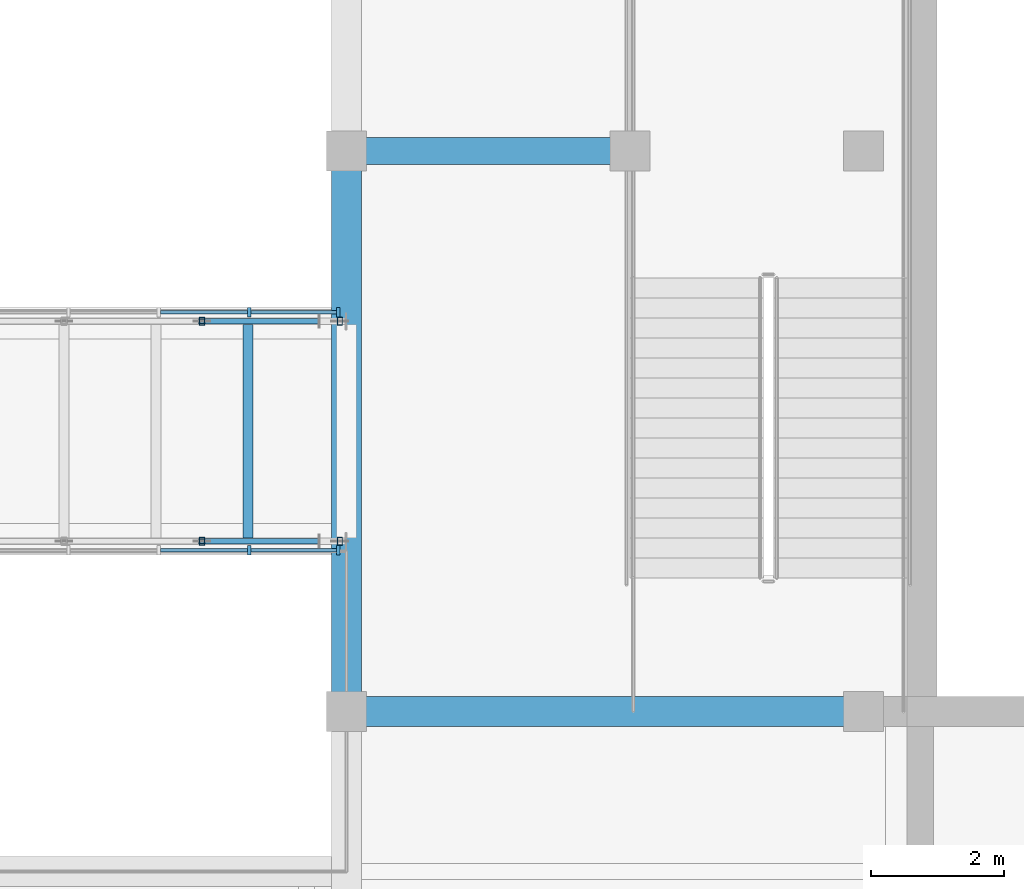
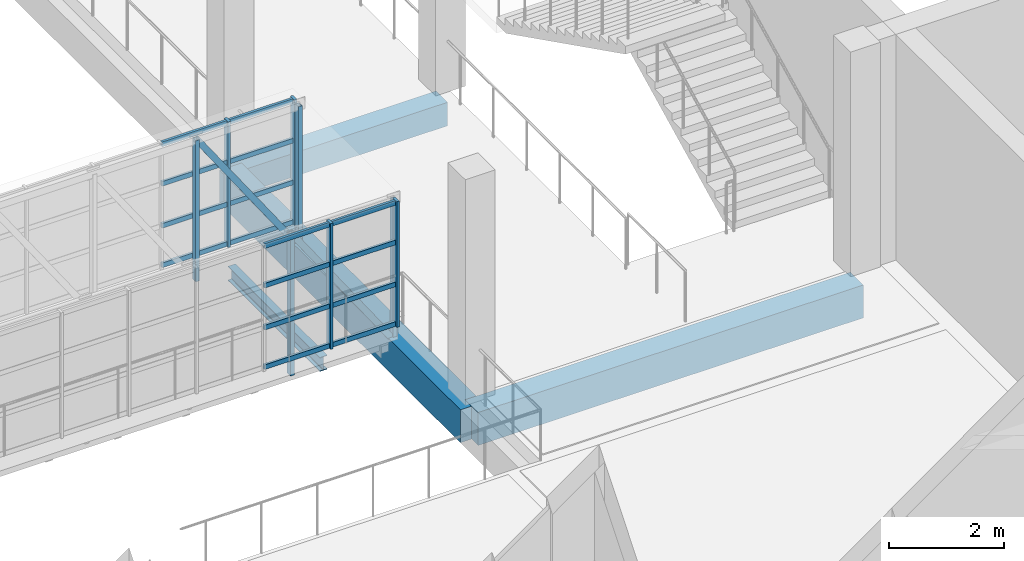
# One storey, part 17 of 86: 26 members, 4 beams, 2 elements without a shape of their own.
"""IFC4 building model written with IfcOpenShell, lengths in metres."""

import ifcopenshell
import ifcopenshell.guid

model = None  # the IFC model being written
_history = None  # IfcOwnerHistory: only IFC2X3 demands one
_inside = {}  # id of a spatial element -> (the spatial element, [elements in it])
_under = {}  # id of a project, library or spatial element -> (it, [spatial elements below it])
_declared = {}  # id of a project -> (the project, [libraries it declares])
_typed = {}  # id of a type object -> (the type object, [elements of that type])
_made_of = {}  # id of a material, layer set ... -> (it, [elements and type objects made of it])


def new_model(schema):
    """Start an empty IFC model of exactly this schema.

    Asked for "IFC4X3", IfcOpenShell would pick the latest addendum, in which some entities
    have other attributes; the version numbers below select the first issue.
    IFC2X3 requires an IfcOwnerHistory on every rooted entity: one is made here for all.
    """
    global model, _history
    if schema == "IFC4X3":
        model = ifcopenshell.file(schema_version=(4, 3, 0, 0))
    else:
        model = ifcopenshell.file(schema=schema)
    _inside.clear()
    _under.clear()
    _declared.clear()
    _typed.clear()
    _made_of.clear()
    _history = None
    if model.schema == "IFC2X3":
        org = make("IfcOrganization", Name="unknown")
        user = make(
            "IfcPersonAndOrganization",
            ThePerson=make("IfcPerson", FamilyName="unknown"),
            TheOrganization=org,
        )
        app = make(
            "IfcApplication",
            ApplicationDeveloper=org,
            Version="unknown",
            ApplicationFullName="unknown",
            ApplicationIdentifier="unknown",
        )
        _history = make(
            "IfcOwnerHistory",
            OwningUser=user,
            OwningApplication=app,
            ChangeAction="ADDED",
            CreationDate=0,
        )
    return model


def make(cls, **values):
    """One entity of the class cls with the attributes given. An attribute that is None is left unset."""
    return model.create_entity(
        cls, **{name: value for name, value in values.items() if value is not None}
    )


def rooted(cls, **values):
    """An entity with a GlobalId (a new one), such as an element, a storey or a relation."""
    return make(cls, GlobalId=ifcopenshell.guid.new(), OwnerHistory=_history, **values)


def si_unit(unit_type, name, prefix=None):
    """IfcSIUnit, for example si_unit("LENGTHUNIT", "METRE", prefix="MILLI")."""
    return make("IfcSIUnit", UnitType=unit_type, Prefix=prefix, Name=name)


def assignment(units):
    """IfcUnitAssignment: the units of a project."""
    return None if units is None else make("IfcUnitAssignment", Units=units)


def point(xyz):
    """IfcCartesianPoint."""
    return None if xyz is None else make("IfcCartesianPoint", Coordinates=xyz)


def direction(xyz):
    """IfcDirection."""
    return None if xyz is None else make("IfcDirection", DirectionRatios=xyz)


def frame(location, z_axis=None, x_axis=None):
    """IfcAxis2Placement3D, a coordinate frame: its origin and axes. An axis left out is left unset."""
    return make(
        "IfcAxis2Placement3D",
        Location=point(location),
        Axis=direction(z_axis),
        RefDirection=direction(x_axis),
    )


def frame_2d(location, x_axis=None):
    """IfcAxis2Placement2D, a coordinate frame in the plane: its origin and x axis."""
    return make(
        "IfcAxis2Placement2D", Location=point(location), RefDirection=direction(x_axis)
    )


def origin():
    """The frame at (0, 0, 0) with its axes left unset."""
    return frame((0.0, 0.0, 0.0))


def origin_2d():
    """The frame at (0, 0) in the plane with its x axis left unset."""
    return frame_2d((0.0, 0.0))


def place(relative_to, where):
    """IfcLocalPlacement: puts the frame where relative to a parent placement (None: the world)."""
    return make(
        "IfcLocalPlacement", PlacementRelTo=relative_to, RelativePlacement=where
    )


def context(
    kind, dimensions, precision=None, world=None, true_north=None, identifier=None
):
    """IfcGeometricRepresentationContext, for example the 3D "Model" context."""
    return make(
        "IfcGeometricRepresentationContext",
        ContextIdentifier=identifier,
        ContextType=kind,
        CoordinateSpaceDimension=dimensions,
        Precision=precision,
        WorldCoordinateSystem=world,
        TrueNorth=true_north,
    )


def subcontext(parent, identifier, kind, view, scale=None):
    """IfcGeometricRepresentationSubContext, for example "Body" below "Model"."""
    return make(
        "IfcGeometricRepresentationSubContext",
        ContextIdentifier=identifier,
        ContextType=kind,
        ParentContext=parent,
        TargetScale=scale,
        TargetView=view,
    )


def project(units=None, contexts=None):
    """IfcProject with its units and contexts."""
    return rooted(
        "IfcProject",
        Name="project",
        RepresentationContexts=contexts,
        UnitsInContext=assignment(units),
    )


def spatial(cls, under=None, at=None, **own):
    """A site, building, storey or space (cls), placed at a placement, below another one or the project."""
    s = rooted(cls, ObjectPlacement=at, **own)
    if under is not None:
        _under.setdefault(under.id(), (under, []))[1].append(s)
    return s


def profile(cls, at=None, kind="AREA", **sizes):
    """A parametric profile (cls). Its sizes go by their IFC names, for example OverallWidth=200.0."""
    return make(cls, ProfileType=kind, Position=at, **sizes)


def rectangle(**sizes):
    """IfcRectangleProfileDef."""
    return profile("IfcRectangleProfileDef", **sizes)


def hollow_rectangle(**sizes):
    """IfcRectangleHollowProfileDef."""
    return profile("IfcRectangleHollowProfileDef", **sizes)


def i_section(**sizes):
    """IfcIShapeProfileDef."""
    return profile("IfcIShapeProfileDef", **sizes)


def extrude(swept, where, along, depth):
    """IfcExtrudedAreaSolid: the profile swept, set in the frame where, extruded along a direction by depth."""
    return make(
        "IfcExtrudedAreaSolid",
        SweptArea=swept,
        Position=where,
        ExtrudedDirection=direction(along),
        Depth=depth,
    )


def shape(context_of_items, identifier, shape_type, items):
    """IfcShapeRepresentation: the items that make up one representation, for example the "Body"."""
    return make(
        "IfcShapeRepresentation",
        ContextOfItems=context_of_items,
        RepresentationIdentifier=identifier,
        RepresentationType=shape_type,
        Items=items,
    )


def material(Name=None, Category=None):
    """IfcMaterial."""
    return make("IfcMaterial", Name=Name, Category=Category)


def layer(
    of_material, thickness, ventilated=None, Name=None, Category=None, Priority=None
):
    """IfcMaterialLayer: one layer of a wall or slab, of a material (None: an air gap)."""
    return make(
        "IfcMaterialLayer",
        Material=of_material,
        LayerThickness=thickness,
        IsVentilated=ventilated,
        Name=Name,
        Category=Category,
        Priority=Priority,
    )


def layer_set(layers, Name=None):
    """IfcMaterialLayerSet."""
    return make("IfcMaterialLayerSet", MaterialLayers=layers, LayerSetName=Name)


def material_profile(
    of_material, cross_section, Name=None, Category=None, Priority=None
):
    """IfcMaterialProfile: a cross section and its material."""
    return make(
        "IfcMaterialProfile",
        Name=Name,
        Material=of_material,
        Profile=cross_section,
        Priority=Priority,
        Category=Category,
    )


def profile_set(profiles, Name=None, composite=None):
    """IfcMaterialProfileSet."""
    return make(
        "IfcMaterialProfileSet",
        Name=Name,
        MaterialProfiles=profiles,
        CompositeProfile=composite,
    )


def made_of(thing, what):
    """Note that an element or type object is made of a material, layer set ...; save() writes the relation."""
    if what is not None:
        _made_of.setdefault(what.id(), (what, []))[1].append(thing)
    return thing


def type_object(cls, material=None, **own):
    """A type object (cls), such as IfcWallType, which elements share."""
    return made_of(rooted(cls, **own), material)


def element(
    cls,
    number,
    at=None,
    inside=None,
    cuts=None,
    type_object=None,
    material=None,
    context=None,
    identifier="Body",
    shape_type=None,
    held_by="IfcProductDefinitionShape",
    body=None,
    shapes=None,
    **own,
):
    """One element of the class cls, such as IfcWall. Its Tag is "e" and its number.

    at: its placement. inside: the storey or other place that contains it. cuts: it is an
    opening in that element (IfcRelVoidsElement). A single representation is given by context,
    identifier, shape_type and body (its items); several are given by shapes. held_by: the class
    of the entity that holds the representations. save() writes the other relations.
    """
    e = rooted(cls, Tag="e%d" % number, ObjectPlacement=at, **own)
    if body is not None:
        shapes = [shape(context, identifier, shape_type, body)]
    if shapes is not None:
        e.Representation = make(held_by, Representations=shapes)
    if inside is not None:
        _inside.setdefault(inside.id(), (inside, []))[1].append(e)
    if cuts is not None:
        rooted(
            "IfcRelVoidsElement", RelatingBuildingElement=cuts, RelatedOpeningElement=e
        )
    if type_object is not None:
        _typed.setdefault(type_object.id(), (type_object, []))[1].append(e)
    return made_of(e, material)


def aggregate(whole, parts):
    """IfcRelAggregates: a whole, such as a stair, and the parts it consists of."""
    return rooted("IfcRelAggregates", RelatingObject=whole, RelatedObjects=parts)


def save(model, path):
    """Write the relations noted so far, then the file.

    IfcRelAggregates (storeys below a building ...), IfcRelContainedInSpatialStructure (elements
    in a storey), IfcRelDefinesByType, IfcRelAssociatesMaterial and IfcRelDeclares: one each for
    every whole, place, type object, material and project.
    """
    for whole, parts in _under.values():
        aggregate(whole, parts)
    for where, things in _inside.values():
        rooted(
            "IfcRelContainedInSpatialStructure",
            RelatedElements=things,
            RelatingStructure=where,
        )
    for kind, things in _typed.values():
        rooted("IfcRelDefinesByType", RelatedObjects=things, RelatingType=kind)
    for what, things in _made_of.values():
        rooted("IfcRelAssociatesMaterial", RelatedObjects=things, RelatingMaterial=what)
    for by, libraries in _declared.values():
        rooted("IfcRelDeclares", RelatingContext=by, RelatedDefinitions=libraries)
    model.write(path)


model = new_model("IFC4")

# Units and contexts
model_context = context("Model", 3, precision=1e-05, world=origin(), true_north=direction((0.0, 1.0)))
body_context = subcontext(model_context, "Body", "Model", "MODEL_VIEW")
ifc_project = project(units=[si_unit("LENGTHUNIT", "METRE"), si_unit("AREAUNIT", "SQUARE_METRE"), si_unit("VOLUMEUNIT", "CUBIC_METRE"), si_unit("PLANEANGLEUNIT", "RADIAN"), si_unit("MASSUNIT", "GRAM", prefix="KILO")], contexts=[model_context])

# Site, building, storey
site_placement = place(None, origin())
site = spatial("IfcSite", under=ifc_project, at=site_placement, CompositionType="ELEMENT")
building_placement = place(site_placement, origin())
building = spatial("IfcBuilding", under=site, at=building_placement, Name="Kiln Court Media Centre", CompositionType="ELEMENT")
storey_placement = place(building_placement, frame((0.0, 0.0, 10.199951171875)))
storey = spatial("IfcBuildingStorey", under=building, at=storey_placement, Name="L02", CompositionType="ELEMENT", Elevation=10.199951171875)

# Curtain wall, members
ifc_material_1 = material(Name="Aluminium 6063-T6", Category="aluminium")
ifc_layer = layer(ifc_material_1, 0.1201171875)
ifc_layer_set = layer_set([ifc_layer], Name="Aluminium unitised curtain wall, bridge")
curtain_wall_type = type_object("IfcCurtainWallType", Name="Aluminium unitised curtain wall, bridge", PredefinedType="USERDEFINED", material=ifc_layer_set)
curtain_wall_1_placement = place(storey_placement, origin())
curtain_wall_1 = element("IfcCurtainWall", 1, at=curtain_wall_1_placement, inside=storey, type_object=curtain_wall_type, Name="BR-L02-FOY-11 side glazing", ObjectType="UNITISED CURTAIN WALL", PredefinedType="USERDEFINED")
ifc_material_2 = material(Name="Aluminium 6063-T6", Category="aluminium")
ifc_material_profile_1 = material_profile(ifc_material_2, rectangle(XDim=0.050048828125, YDim=0.139892578125, at=origin_2d()), Name="Aluminium hall mullion 50x140")
ifc_profile_set_1 = profile_set([ifc_material_profile_1], Name="Aluminium 6063-T6")
member_type_1 = type_object("IfcMemberType", Name="Aluminium hall mullion 50x140", PredefinedType="MULLION", material=ifc_profile_set_1)
member_1_placement = place(storey_placement, frame((48.9443359375, 36.014892578125, 0.0), z_axis=(0.0, 0.0, 1.0), x_axis=(1.0, 0.0, 0.0)))
member_1 = element("IfcMember", 2, at=member_1_placement, type_object=member_type_1, Name="CW2-67 mullion 9", PredefinedType="MULLION", context=body_context, shape_type="SweptSolid", body=[
    extrude(rectangle(XDim=0.050048828125, YDim=0.139892578125, at=origin_2d()), origin(), (0.0, 0.0, 1.0), 2.675048828125),
])
member_2_placement = place(storey_placement, frame((50.27490234375, 36.014892578125, 0.0), z_axis=(0.0, 0.0, 1.0), x_axis=(1.0, 0.0, 0.0)))
member_2 = element("IfcMember", 3, at=member_2_placement, type_object=member_type_1, Name="CW2-67 mullion 10", PredefinedType="MULLION", context=body_context, shape_type="SweptSolid", body=[
    extrude(rectangle(XDim=0.050048828125, YDim=0.139892578125, at=origin_2d()), origin(), (0.0, 0.0, 1.0), 2.675048828125),
])

curtain_wall_2_placement = place(storey_placement, origin())
curtain_wall_2 = element("IfcCurtainWall", 4, at=curtain_wall_2_placement, inside=storey, type_object=curtain_wall_type, Name="BR-L02-FOY-11 side glazing", ObjectType="UNITISED CURTAIN WALL", PredefinedType="USERDEFINED")
member_3_placement = place(storey_placement, frame((48.9443359375, 39.5849609375, 0.0), z_axis=(0.0, 0.0, 1.0), x_axis=(1.0, 0.0, 0.0)))
member_3 = element("IfcMember", 5, at=member_3_placement, type_object=member_type_1, Name="CW2-68 mullion 9", PredefinedType="MULLION", context=body_context, shape_type="SweptSolid", body=[
    extrude(rectangle(XDim=0.050048828125, YDim=0.139892578125, at=origin_2d()), origin(), (0.0, 0.0, 1.0), 2.675048828125),
])
member_4_placement = place(storey_placement, frame((50.27490234375, 39.5849609375, 0.0), z_axis=(0.0, 0.0, 1.0), x_axis=(1.0, 0.0, 0.0)))
member_4 = element("IfcMember", 6, at=member_4_placement, type_object=member_type_1, Name="CW2-68 mullion 10", PredefinedType="MULLION", context=body_context, shape_type="SweptSolid", body=[
    extrude(rectangle(XDim=0.050048828125, YDim=0.139892578125, at=origin_2d()), origin(), (0.0, 0.0, 1.0), 2.675048828125),
])

# Member
ifc_material_3 = material(Name="Aluminium 6063-T6", Category="aluminium")
ifc_material_profile_2 = material_profile(ifc_material_3, rectangle(XDim=0.050048828125, YDim=0.10009765625, at=origin_2d()), Name="Aluminium hall transom 50x100")
ifc_profile_set_2 = profile_set([ifc_material_profile_2], Name="Aluminium 6063-T6")
member_type_2 = type_object("IfcMemberType", Name="Aluminium hall transom 50x100", PredefinedType="USERDEFINED", material=ifc_profile_set_2)
member_5_placement = place(storey_placement, frame((47.61376953125, 36.014892578125, 0.050048828125), z_axis=(1.0, 0.0, 0.0), x_axis=(0.0, 1.0, 0.0)))
member_5 = element("IfcMember", 7, at=member_5_placement, type_object=member_type_2, Name="CW2-67 transom 8.1", ObjectType="TRANSOM", PredefinedType="USERDEFINED", context=body_context, shape_type="SweptSolid", body=[
    extrude(rectangle(XDim=0.050048828125, YDim=0.10009765625, at=origin_2d()), origin(), (0.0, 0.0, 1.0), 1.3056640625),
])

member_6_placement = place(storey_placement, frame((47.61376953125, 36.014892578125, 0.891845703125), z_axis=(1.0, 0.0, 0.0), x_axis=(0.0, 1.0, 0.0)))
member_6 = element("IfcMember", 8, at=member_6_placement, type_object=member_type_2, Name="CW2-67 transom 8.2", ObjectType="TRANSOM", PredefinedType="USERDEFINED", context=body_context, shape_type="SweptSolid", body=[
    extrude(rectangle(XDim=0.050048828125, YDim=0.10009765625, at=origin_2d()), origin(), (0.0, 0.0, 1.0), 1.3056640625),
])

member_7_placement = place(storey_placement, frame((47.61376953125, 36.014892578125, 1.783447265625), z_axis=(1.0, 0.0, 0.0), x_axis=(0.0, 1.0, 0.0)))
member_7 = element("IfcMember", 9, at=member_7_placement, type_object=member_type_2, Name="CW2-67 transom 8.3", ObjectType="TRANSOM", PredefinedType="USERDEFINED", context=body_context, shape_type="SweptSolid", body=[
    extrude(rectangle(XDim=0.050048828125, YDim=0.10009765625, at=origin_2d()), origin(), (0.0, 0.0, 1.0), 1.3056640625),
])

member_8_placement = place(storey_placement, frame((47.61376953125, 36.014892578125, 2.625), z_axis=(1.0, 0.0, 0.0), x_axis=(0.0, 1.0, 0.0)))
member_8 = element("IfcMember", 10, at=member_8_placement, type_object=member_type_2, Name="CW2-67 transom 8.4", ObjectType="TRANSOM", PredefinedType="USERDEFINED", context=body_context, shape_type="SweptSolid", body=[
    extrude(rectangle(XDim=0.050048828125, YDim=0.10009765625, at=origin_2d()), origin(), (0.0, 0.0, 1.0), 1.3056640625),
])

member_9_placement = place(storey_placement, frame((48.969482421875, 36.014892578125, 0.050048828125), z_axis=(1.0, 0.0, 0.0), x_axis=(0.0, 1.0, 0.0)))
member_9 = element("IfcMember", 11, at=member_9_placement, type_object=member_type_2, Name="CW2-67 transom 9.1", ObjectType="TRANSOM", PredefinedType="USERDEFINED", context=body_context, shape_type="SweptSolid", body=[
    extrude(rectangle(XDim=0.050048828125, YDim=0.10009765625, at=origin_2d()), origin(), (0.0, 0.0, 1.0), 1.280517578125),
])

member_10_placement = place(storey_placement, frame((48.969482421875, 36.014892578125, 0.891845703125), z_axis=(1.0, 0.0, 0.0), x_axis=(0.0, 1.0, 0.0)))
member_10 = element("IfcMember", 12, at=member_10_placement, type_object=member_type_2, Name="CW2-67 transom 9.2", ObjectType="TRANSOM", PredefinedType="USERDEFINED", context=body_context, shape_type="SweptSolid", body=[
    extrude(rectangle(XDim=0.050048828125, YDim=0.10009765625, at=origin_2d()), origin(), (0.0, 0.0, 1.0), 1.280517578125),
])

member_11_placement = place(storey_placement, frame((48.969482421875, 36.014892578125, 1.783447265625), z_axis=(1.0, 0.0, 0.0), x_axis=(0.0, 1.0, 0.0)))
member_11 = element("IfcMember", 13, at=member_11_placement, type_object=member_type_2, Name="CW2-67 transom 9.3", ObjectType="TRANSOM", PredefinedType="USERDEFINED", context=body_context, shape_type="SweptSolid", body=[
    extrude(rectangle(XDim=0.050048828125, YDim=0.10009765625, at=origin_2d()), origin(), (0.0, 0.0, 1.0), 1.280517578125),
])

member_12_placement = place(storey_placement, frame((48.969482421875, 36.014892578125, 2.625), z_axis=(1.0, 0.0, 0.0), x_axis=(0.0, 1.0, 0.0)))
member_12 = element("IfcMember", 14, at=member_12_placement, type_object=member_type_2, Name="CW2-67 transom 9.4", ObjectType="TRANSOM", PredefinedType="USERDEFINED", context=body_context, shape_type="SweptSolid", body=[
    extrude(rectangle(XDim=0.050048828125, YDim=0.10009765625, at=origin_2d()), origin(), (0.0, 0.0, 1.0), 1.280517578125),
])

aggregate(curtain_wall_1, [member_1, member_2, member_5, member_6, member_7, member_8, member_9, member_10, member_11, member_12])

member_13_placement = place(storey_placement, frame((47.61376953125, 39.5849609375, 0.050048828125), z_axis=(1.0, 0.0, 0.0), x_axis=(0.0, 1.0, 0.0)))
member_13 = element("IfcMember", 15, at=member_13_placement, type_object=member_type_2, Name="CW2-68 transom 8.1", ObjectType="TRANSOM", PredefinedType="USERDEFINED", context=body_context, shape_type="SweptSolid", body=[
    extrude(rectangle(XDim=0.050048828125, YDim=0.10009765625, at=origin_2d()), origin(), (0.0, 0.0, 1.0), 1.3056640625),
])

member_14_placement = place(storey_placement, frame((47.61376953125, 39.5849609375, 0.891845703125), z_axis=(1.0, 0.0, 0.0), x_axis=(0.0, 1.0, 0.0)))
member_14 = element("IfcMember", 16, at=member_14_placement, type_object=member_type_2, Name="CW2-68 transom 8.2", ObjectType="TRANSOM", PredefinedType="USERDEFINED", context=body_context, shape_type="SweptSolid", body=[
    extrude(rectangle(XDim=0.050048828125, YDim=0.10009765625, at=origin_2d()), origin(), (0.0, 0.0, 1.0), 1.3056640625),
])

member_15_placement = place(storey_placement, frame((47.61376953125, 39.5849609375, 1.783447265625), z_axis=(1.0, 0.0, 0.0), x_axis=(0.0, 1.0, 0.0)))
member_15 = element("IfcMember", 17, at=member_15_placement, type_object=member_type_2, Name="CW2-68 transom 8.3", ObjectType="TRANSOM", PredefinedType="USERDEFINED", context=body_context, shape_type="SweptSolid", body=[
    extrude(rectangle(XDim=0.050048828125, YDim=0.10009765625, at=origin_2d()), origin(), (0.0, 0.0, 1.0), 1.3056640625),
])

member_16_placement = place(storey_placement, frame((47.61376953125, 39.5849609375, 2.625), z_axis=(1.0, 0.0, 0.0), x_axis=(0.0, 1.0, 0.0)))
member_16 = element("IfcMember", 18, at=member_16_placement, type_object=member_type_2, Name="CW2-68 transom 8.4", ObjectType="TRANSOM", PredefinedType="USERDEFINED", context=body_context, shape_type="SweptSolid", body=[
    extrude(rectangle(XDim=0.050048828125, YDim=0.10009765625, at=origin_2d()), origin(), (0.0, 0.0, 1.0), 1.3056640625),
])

member_17_placement = place(storey_placement, frame((48.969482421875, 39.5849609375, 0.050048828125), z_axis=(1.0, 0.0, 0.0), x_axis=(0.0, 1.0, 0.0)))
member_17 = element("IfcMember", 19, at=member_17_placement, type_object=member_type_2, Name="CW2-68 transom 9.1", ObjectType="TRANSOM", PredefinedType="USERDEFINED", context=body_context, shape_type="SweptSolid", body=[
    extrude(rectangle(XDim=0.050048828125, YDim=0.10009765625, at=origin_2d()), origin(), (0.0, 0.0, 1.0), 1.280517578125),
])

member_18_placement = place(storey_placement, frame((48.969482421875, 39.5849609375, 0.891845703125), z_axis=(1.0, 0.0, 0.0), x_axis=(0.0, 1.0, 0.0)))
member_18 = element("IfcMember", 20, at=member_18_placement, type_object=member_type_2, Name="CW2-68 transom 9.2", ObjectType="TRANSOM", PredefinedType="USERDEFINED", context=body_context, shape_type="SweptSolid", body=[
    extrude(rectangle(XDim=0.050048828125, YDim=0.10009765625, at=origin_2d()), origin(), (0.0, 0.0, 1.0), 1.280517578125),
])

member_19_placement = place(storey_placement, frame((48.969482421875, 39.5849609375, 1.783447265625), z_axis=(1.0, 0.0, 0.0), x_axis=(0.0, 1.0, 0.0)))
member_19 = element("IfcMember", 21, at=member_19_placement, type_object=member_type_2, Name="CW2-68 transom 9.3", ObjectType="TRANSOM", PredefinedType="USERDEFINED", context=body_context, shape_type="SweptSolid", body=[
    extrude(rectangle(XDim=0.050048828125, YDim=0.10009765625, at=origin_2d()), origin(), (0.0, 0.0, 1.0), 1.280517578125),
])

member_20_placement = place(storey_placement, frame((48.969482421875, 39.5849609375, 2.625), z_axis=(1.0, 0.0, 0.0), x_axis=(0.0, 1.0, 0.0)))
member_20 = element("IfcMember", 22, at=member_20_placement, type_object=member_type_2, Name="CW2-68 transom 9.4", ObjectType="TRANSOM", PredefinedType="USERDEFINED", context=body_context, shape_type="SweptSolid", body=[
    extrude(rectangle(XDim=0.050048828125, YDim=0.10009765625, at=origin_2d()), origin(), (0.0, 0.0, 1.0), 1.280517578125),
])

aggregate(curtain_wall_2, [member_3, member_4, member_13, member_14, member_15, member_16, member_17, member_18, member_19, member_20])

# Beams
ifc_material_4 = material(Name="Concrete C30/37", Category="concrete")
ifc_material_profile_3 = material_profile(ifc_material_4, rectangle(XDim=0.39990234375, YDim=0.5, at=origin_2d()), Name="RC 400x500")
ifc_profile_set_3 = profile_set([ifc_material_profile_3], Name="Concrete C30/37")
beam_type_1 = type_object("IfcBeamType", Name="Concrete C30/37 beam 400x500", PredefinedType="BEAM", material=ifc_profile_set_3)
beam_1_placement = place(storey_placement, frame((50.39990234375, 42.0, -0.550048828125), z_axis=(1.0, 0.0, 0.0), x_axis=(0.0, 1.0, 0.0)))
element("IfcBeam", 23, at=beam_1_placement, inside=storey, type_object=beam_type_1, Name="L02-B-1088", PredefinedType="BEAM", context=body_context, shape_type="SweptSolid", body=[
    extrude(rectangle(XDim=0.39990234375, YDim=0.5, at=origin_2d()), origin(), (0.0, 0.0, 1.0), 4.2509765625),
])
ifc_material_5 = material(Name="Concrete C30/37", Category="concrete")
ifc_material_profile_4 = material_profile(ifc_material_5, rectangle(XDim=0.449951171875, YDim=0.699951171875, at=origin_2d()), Name="RC 450x700")
ifc_profile_set_4 = profile_set([ifc_material_profile_4], Name="Concrete C30/37")
beam_type_2 = type_object("IfcBeamType", Name="Concrete C30/37 beam 450x700", PredefinedType="BEAM", material=ifc_profile_set_4)
beam_2_placement = place(storey_placement, frame((50.39990234375, 33.60009765625, -0.64990234375), z_axis=(0.0, 1.0, 0.0), x_axis=(-1.0, 0.0, 0.0)))
element("IfcBeam", 24, at=beam_2_placement, inside=storey, type_object=beam_type_2, Name="L02-B-1081", PredefinedType="BEAM", context=body_context, shape_type="SweptSolid", body=[
    extrude(rectangle(XDim=0.449951171875, YDim=0.699951171875, at=origin_2d()), origin(), (0.0, 0.0, 1.0), 8.39990234375),
])
beam_3_placement = place(storey_placement, frame((50.39990234375, 33.60009765625, -0.64990234375), z_axis=(1.0, 0.0, 0.0), x_axis=(0.0, 1.0, 0.0)))
element("IfcBeam", 25, at=beam_3_placement, inside=storey, type_object=beam_type_2, Name="L02-B-1085", PredefinedType="BEAM", context=body_context, shape_type="SweptSolid", body=[
    extrude(rectangle(XDim=0.449951171875, YDim=0.699951171875, at=origin_2d()), origin(), (0.0, 0.0, 1.0), 7.75),
])

# Members
ifc_material_6 = material(Name="Steel ASTM A500 Gr C", Category="steel")
ifc_material_profile_5 = material_profile(ifc_material_6, hollow_rectangle(XDim=0.080078125, YDim=0.1201171875, WallThickness=0.00634765625, at=origin_2d()), Name="RHS 120x80x6.3")
ifc_profile_set_5 = profile_set([ifc_material_profile_5], Name="Steel ASTM A500 Gr C")
member_type_3 = type_object("IfcMemberType", Name="Steel ASTM A500 Gr C RHS 120x80x6.3 bridge truss web", PredefinedType="BRACE", material=ifc_profile_set_5)
for number, where, z_axis, x_axis, name in (
    (26, (48.2333984375, 36.14990234375, -0.39990234375), (0.0, 0.0, 1.0), (1.0, 0.0, 0.0), "bridge BR-L02-FOY-11 side truss 1 post 6 bridge truss web"),
    (27, (50.300048828125, 36.14990234375, -0.39990234375), (0.0, 0.0, 1.0), (1.0, 0.0, 0.0), "bridge BR-L02-FOY-11 side truss 1 post 7 bridge truss web"),
):
    element("IfcMember", number, at=place(storey_placement, frame(where, z_axis=z_axis, x_axis=x_axis)), inside=storey, type_object=member_type_3, Name=name, PredefinedType="BRACE", context=body_context, shape_type="SweptSolid", body=[
        extrude(hollow_rectangle(XDim=0.080078125, YDim=0.1201171875, WallThickness=0.00634765625, at=origin_2d()), origin(), (0.0, 0.0, 1.0), 3.0),
    ])
member_21_placement = place(storey_placement, frame((48.2333984375, 36.14990234375, 2.60009765625), z_axis=(0.567302206325, 0.0, -0.823509688284), x_axis=(0.0, 1.0, 0.0)))
element("IfcMember", 28, at=member_21_placement, inside=storey, type_object=member_type_3, Name="bridge BR-L02-FOY-11 side truss 1 diagonal 6 bridge truss web", PredefinedType="BRACE", context=body_context, shape_type="SweptSolid", body=[
    extrude(hollow_rectangle(XDim=0.080078125, YDim=0.1201171875, WallThickness=0.00634765625, at=origin_2d()), origin(), (0.0, 0.0, 1.0), 3.64306640625),
])
for number, where, z_axis, x_axis, name in (
    (29, (48.2333984375, 39.449951171875, -0.39990234375), (0.0, 0.0, 1.0), (1.0, 0.0, 0.0), "bridge BR-L02-FOY-11 side truss 2 post 6 bridge truss web"),
    (30, (50.300048828125, 39.449951171875, -0.39990234375), (0.0, 0.0, 1.0), (1.0, 0.0, 0.0), "bridge BR-L02-FOY-11 side truss 2 post 7 bridge truss web"),
):
    element("IfcMember", number, at=place(storey_placement, frame(where, z_axis=z_axis, x_axis=x_axis)), inside=storey, type_object=member_type_3, Name=name, PredefinedType="BRACE", context=body_context, shape_type="SweptSolid", body=[
        extrude(hollow_rectangle(XDim=0.080078125, YDim=0.1201171875, WallThickness=0.00634765625, at=origin_2d()), origin(), (0.0, 0.0, 1.0), 3.0),
    ])
member_22_placement = place(storey_placement, frame((48.2333984375, 39.449951171875, 2.60009765625), z_axis=(0.567302206325, 0.0, -0.823509688284), x_axis=(0.0, 1.0, 0.0)))
element("IfcMember", 31, at=member_22_placement, inside=storey, type_object=member_type_3, Name="bridge BR-L02-FOY-11 side truss 2 diagonal 6 bridge truss web", PredefinedType="BRACE", context=body_context, shape_type="SweptSolid", body=[
    extrude(hollow_rectangle(XDim=0.080078125, YDim=0.1201171875, WallThickness=0.00634765625, at=origin_2d()), origin(), (0.0, 0.0, 1.0), 3.64306640625),
])

# Beam
ifc_material_7 = material(Name="Steel ASTM A572 Gr 50", Category="steel")
ifc_material_profile_6 = material_profile(ifc_material_7, i_section(OverallWidth=0.14990234375, OverallDepth=0.300048828125, WebThickness=0.007080078125, FlangeThickness=0.0107421875, FilletRadius=0.014892578125, at=origin_2d()), Name="IPE 300")
ifc_profile_set_6 = profile_set([ifc_material_profile_6], Name="Steel ASTM A572 Gr 50")
beam_type_3 = type_object("IfcBeamType", Name="Steel ASTM A572 Gr 50 IPE 300 bridge floor beam", PredefinedType="BEAM", material=ifc_profile_set_6)
beam_4_placement = place(storey_placement, frame((48.922119140625, 36.199951171875, -0.449951171875), z_axis=(0.0, 1.0, 0.0), x_axis=(-1.0, 0.0, 0.0)))
element("IfcBeam", 32, at=beam_4_placement, inside=storey, type_object=beam_type_3, Name="bridge BR-L02-FOY-11 floor beam 8 bridge floor beam", PredefinedType="BEAM", context=body_context, shape_type="SweptSolid", body=[
    extrude(i_section(OverallWidth=0.14990234375, OverallDepth=0.300048828125, WebThickness=0.007080078125, FlangeThickness=0.0107421875, FilletRadius=0.014892578125, at=origin_2d()), origin(), (0.0, 0.0, 1.0), 3.199951171875),
])

save(model, "model.ifc")
